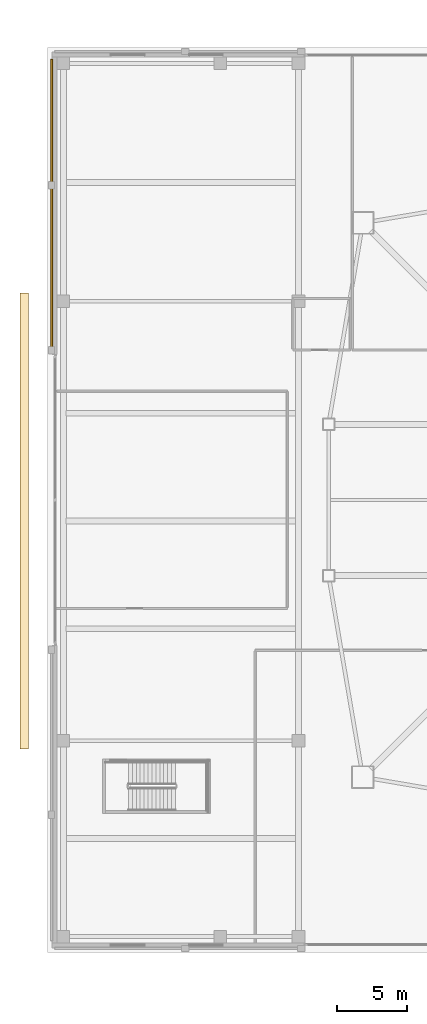
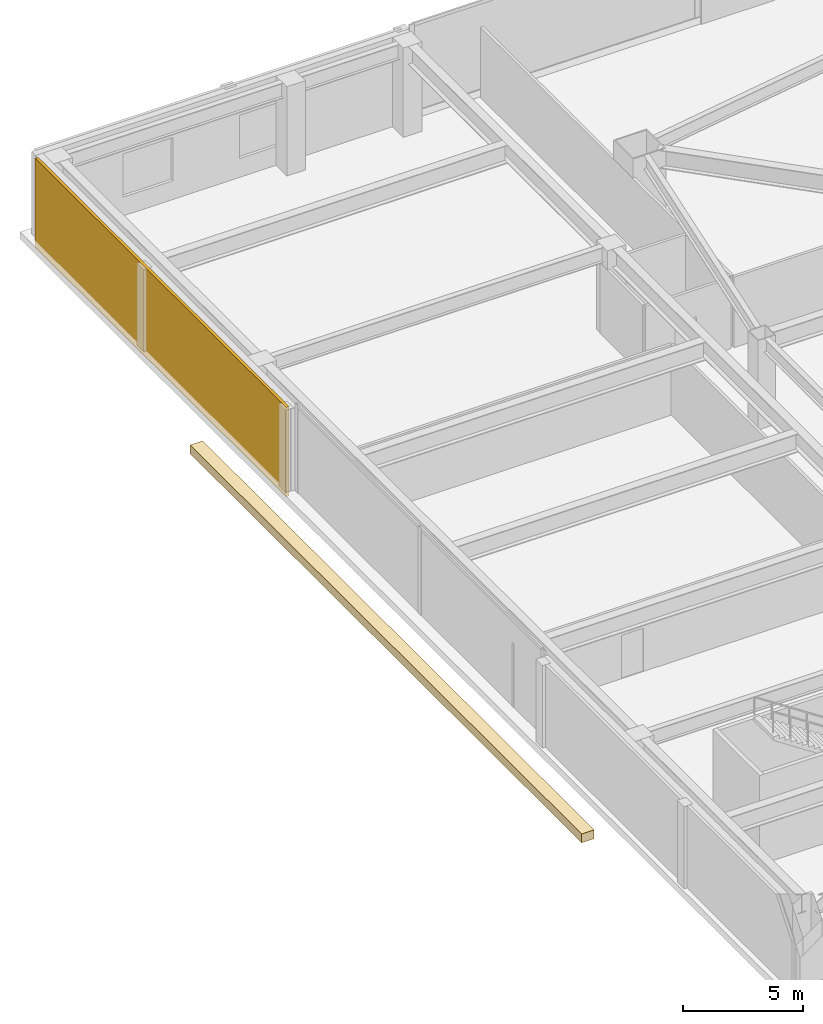
# One storey, part 39 of 44: 2 coverings.
"""IFC4 building model written with IfcOpenShell, lengths in metres."""

from ifc_helpers import new_model, si_unit, direction, frame, origin, origin_2d, place, context, subcontext, project, spatial, polyline, rectangle, outline, extrude, material, layer, layer_set, type_object, element, save


model = new_model("IFC4")

# Units and contexts
model_context = context("Model", 3, precision=1e-05, world=origin(), true_north=direction((0.0, 1.0)))
body_context = subcontext(model_context, "Body", "Model", "MODEL_VIEW")
ifc_project = project(units=[si_unit("LENGTHUNIT", "METRE"), si_unit("AREAUNIT", "SQUARE_METRE"), si_unit("VOLUMEUNIT", "CUBIC_METRE"), si_unit("PLANEANGLEUNIT", "RADIAN"), si_unit("MASSUNIT", "GRAM", prefix="KILO")], contexts=[model_context])

# Site, building, storey
site_placement = place(None, origin())
site = spatial("IfcSite", under=ifc_project, at=site_placement, CompositionType="ELEMENT")
building_placement = place(site_placement, origin())
building = spatial("IfcBuilding", under=site, at=building_placement, Name="Tashvorn Skyway Center", CompositionType="ELEMENT")
storey_placement = place(building_placement, frame((0.0, 0.0, 5.39990234375)))
storey = spatial("IfcBuildingStorey", under=building, at=storey_placement, Name="L01", CompositionType="ELEMENT", Elevation=5.39990234375)

# Coverings
ifc_material = material(Name="Precast concrete C40/50", Category="concrete")
ifc_layer = layer(ifc_material, 0.35009765625)
ifc_layer_set = layer_set([ifc_layer], Name="Precast concrete C40/50")
covering_type = type_object("IfcCoveringType", Name="COV-STONE-TRIM", PredefinedType="CLADDING", material=ifc_layer_set)
covering_1_placement = place(storey_placement, frame((-0.0400390625, 53.050048828125, 0.0), z_axis=(0.0, 0.0, 1.0), x_axis=(1.0, 0.0, 0.0)))
element("IfcCovering", 1, at=covering_1_placement, inside=storey, type_object=covering_type, Name="L01 Limestone Rusticated Pier W-N", PredefinedType="CLADDING", context=body_context, shape_type="SweptSolid", body=[
    extrude(rectangle(XDim=0.139892578125, YDim=20.89990234375, at=origin_2d()), origin(), (0.0, 0.0, 1.0), 4.5400390625),
])
covering_2_placement = place(storey_placement, frame((0.0, 0.0, 0.400146484375)))
element("IfcCovering", 2, at=covering_2_placement, inside=storey, type_object=covering_type, Name="Station Marquee Canopy Terracotta Coping W", PredefinedType="CLADDING", context=body_context, shape_type="SweptSolid", body=[
    extrude(outline(polyline([(-2.300048828125, 14.199951171875), (-1.699951171875, 14.199951171875), (-1.699951171875, 46.800048828125), (-2.300048828125, 46.800048828125), (-2.300048828125, 14.199951171875)])), origin(), (0.0, 0.0, 1.0), 0.449951171875),
])

save(model, "model.ifc")
